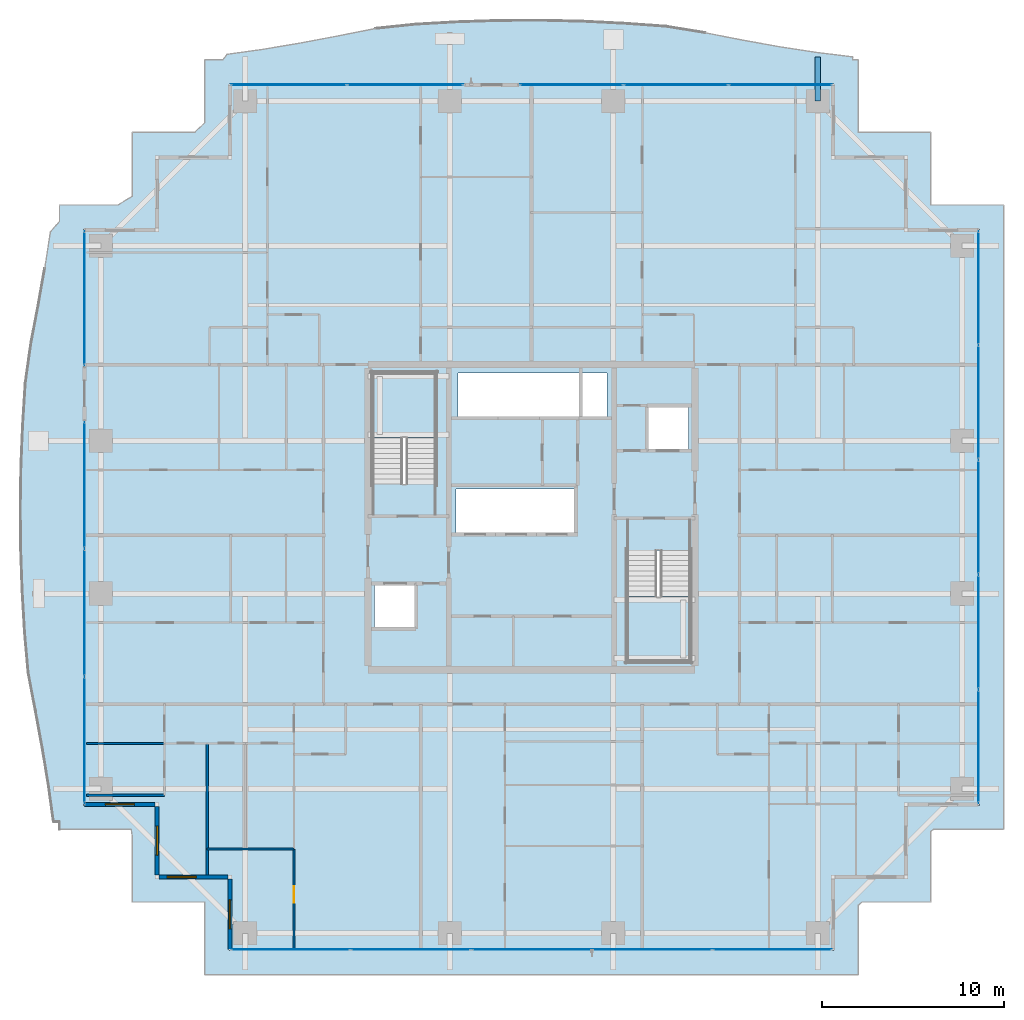
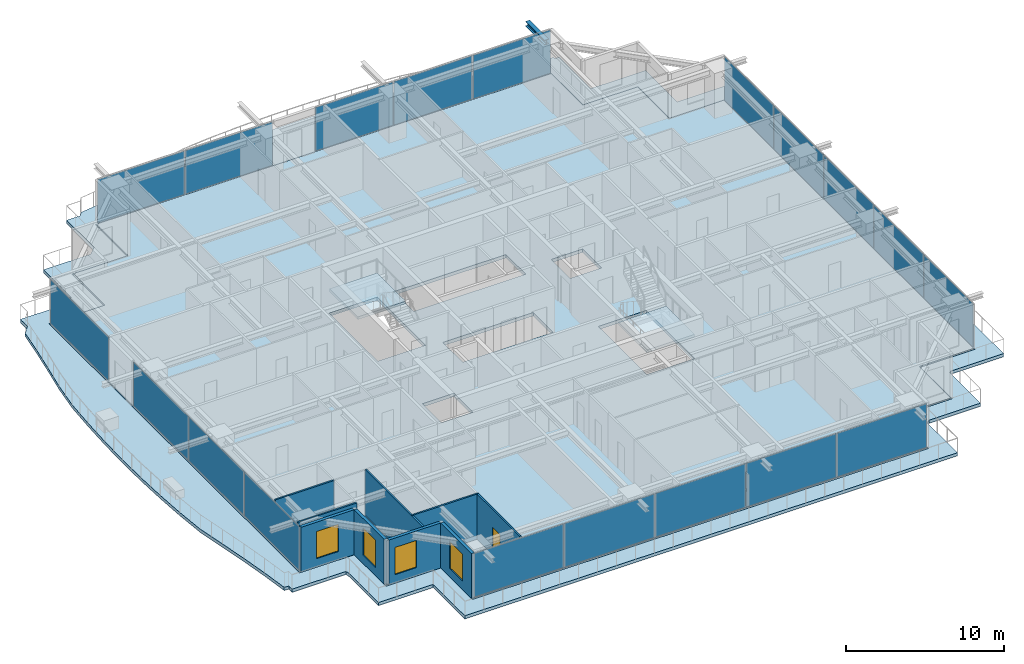
# One storey, part 25 of 39: 19 plates, 9 walls, 4 slabs, 4 windows, 1 beam, 1 door, 5 openings, 8 elements without a shape of their own.
"""IFC4 building model written with IfcOpenShell, lengths in metres."""

from ifc_helpers import new_model, si_unit, direction, frame, frame_2d, origin, origin_2d, place, context, subcontext, project, spatial, polyline, rectangle, i_section, outline, extrude, source, transform, mapped, material, layer, layer_set, material_profile, profile_set, type_object, element, fill, aggregate, save


model = new_model("IFC4")

# Units and contexts
model_context = context("Model", 3, precision=1e-05, world=origin(), true_north=direction((0.0, 1.0)))
body_context = subcontext(model_context, "Body", "Model", "MODEL_VIEW")
ifc_project = project(units=[si_unit("LENGTHUNIT", "METRE"), si_unit("AREAUNIT", "SQUARE_METRE"), si_unit("VOLUMEUNIT", "CUBIC_METRE"), si_unit("PLANEANGLEUNIT", "RADIAN"), si_unit("MASSUNIT", "GRAM", prefix="KILO")], contexts=[model_context])

# Site, building, storey
site_placement = place(None, origin())
site = spatial("IfcSite", under=ifc_project, at=site_placement, CompositionType="ELEMENT")
building_placement = place(site_placement, origin())
building = spatial("IfcBuilding", under=site, at=building_placement, Name="Serunith Strait Residences", CompositionType="ELEMENT")
storey_placement = place(building_placement, frame((0.0, 0.0, 123.89990234375)))
storey = spatial("IfcBuildingStorey", under=building, at=storey_placement, Name="L30", CompositionType="ELEMENT", Elevation=123.89990234375)

# Beam
ifc_material_1 = material(Name="Steel S355J2", Category="steel")
ifc_material_profile = material_profile(ifc_material_1, i_section(OverallWidth=0.300048828125, OverallDepth=0.360107421875, WebThickness=0.012451171875, FlangeThickness=0.0224609375, FilletRadius=0.027099609375, at=origin_2d()), Name="HEB 360")
ifc_profile_set = profile_set([ifc_material_profile], Name="Steel S355J2")
beam_type = type_object("IfcBeamType", Name="BM-HEB360", PredefinedType="BEAM", material=ifc_profile_set)
shared_shape_1 = source(origin(), body_context, "Body", "SweptSolid", [
    extrude(i_section(OverallWidth=0.300048828125, OverallDepth=0.360107421875, WebThickness=0.012451171875, FlangeThickness=0.0224609375, FilletRadius=0.027099609375, at=origin_2d()), origin(), (0.0, 0.0, 1.0), 2.4228515625),
])
beam_placement = place(storey_placement, frame((48.14990234375, 48.10009765625, 3.277099609375), z_axis=(0.0, 1.0, 0.0), x_axis=(-1.0, 0.0, 0.0)))
element("IfcBeam", 1, at=beam_placement, inside=storey, type_object=beam_type, Name="L31 Cantilevered Balcony Rib TC-N4", PredefinedType="BEAM", context=body_context, shape_type="MappedRepresentation", body=[
    mapped(shared_shape_1, transform((0.0, 0.0, 0.0), scale=1.0)),
])

# Slab
ifc_material_2 = material(Name="Concrete C50/60", Category="concrete")
ifc_layer_1 = layer(ifc_material_2, 0.239990234375, Name="Concrete C50/60")
ifc_layer_set_1 = layer_set([ifc_layer_1], Name="Concrete C50/60")
slab_type_1 = type_object("IfcSlabType", Name="SLB-BALC-240", PredefinedType="FLOOR", material=ifc_layer_set_1)
slab_1_placement = place(storey_placement, frame((0.0, 0.0, -0.289794921875)))
element("IfcSlab", 2, at=slab_1_placement, inside=storey, type_object=slab_type_1, Name="L30 Planted Vertical-Forest Balcony Slab", PredefinedType="FLOOR", context=body_context, shape_type="SweptSolid", body=[
    extrude(outline(polyline([(6.419921875, 8.02001953125), (6.419921875, 8.43017578125), (6.096923828125, 8.44873046875), (5.818603515625, 10.45068359375), (5.48583984375, 12.472412109375), (5.107177734375, 14.53076171875), (4.7060546875, 16.644287109375), (4.5078125, 18.869384765625), (4.376708984375, 21.136962890625), (4.29541015625, 23.42919921875), (4.272216796875, 25.733642578125), (4.30908203125, 28.03564453125), (4.403076171875, 30.3212890625), (4.544677734375, 32.5791015625), (4.8505859375, 34.75634765625), (5.24609375, 36.84521484375), (5.6083984375, 38.88623046875), (5.920654296875, 40.8974609375), (6.419921875, 41.4814453125), (6.419921875, 42.3798828125), (9.62939453125, 42.3798828125), (10.419921875, 42.8515625), (10.419921875, 46.3798828125), (13.863525390625, 46.3798828125), (14.419921875, 46.916015625), (14.419921875, 50.3798828125), (15.424072265625, 50.3798828125), (15.6328125, 50.672119140625), (17.630615234375, 50.95166015625), (19.647216796875, 51.290283203125), (21.70068359375, 51.679443359375), (23.8115234375, 52.095458984375), (26.036376953125, 52.325927734375), (28.3154296875, 52.456298828125), (30.6201171875, 52.530517578125), (32.93603515625, 52.540771484375), (35.2470703125, 52.486328125), (37.53759765625, 52.372802734375), (39.7958984375, 52.21142578125), (41.958740234375, 51.860107421875), (44.03759765625, 51.45361328125), (46.06982421875, 51.08935546875), (48.075439453125, 50.7822265625), (50.070068359375, 50.5341796875), (50.06884765625, 50.3798828125), (50.3798828125, 50.3798828125), (50.3798828125, 46.3798828125), (54.3798828125, 46.3798828125), (54.3798828125, 42.3798828125), (58.3798828125, 42.3798828125), (58.3798828125, 8.02001953125), (54.51513671875, 8.02001953125), (54.3798828125, 7.921875), (54.3798828125, 4.02001953125), (50.601806640625, 4.02001953125), (50.3798828125, 3.8408203125), (50.3798828125, 0.02001953125), (14.419921875, 0.02001953125), (14.419921875, 4.02001953125), (10.419921875, 4.02001953125), (10.419921875, 7.688232421875), (10.37109375, 8.02001953125), (6.419921875, 8.02001953125)]), holes=[polyline([(49.054931640625, 1.344970703125), (49.054931640625, 5.344970703125), (53.054931640625, 5.344970703125), (53.054931640625, 9.344970703125), (57.054931640625, 9.344970703125), (57.054931640625, 41.054931640625), (53.054931640625, 41.054931640625), (53.054931640625, 45.054931640625), (49.054931640625, 45.054931640625), (49.054931640625, 49.054931640625), (15.7451171875, 49.054931640625), (15.7451171875, 45.054931640625), (11.7451171875, 45.054931640625), (11.7451171875, 41.054931640625), (7.7451171875, 41.054931640625), (7.7451171875, 9.344970703125), (11.7451171875, 9.344970703125), (11.7451171875, 5.344970703125), (15.7451171875, 5.344970703125), (15.7451171875, 1.344970703125), (49.054931640625, 1.344970703125)])]), origin(), (0.0, 0.0, 1.0), 0.239990234375),
])

# Stair, slab
stair_type_1 = type_object("IfcStairType", Name="STR-CORE-1", PredefinedType="HALF_TURN_STAIR", material=ifc_material_2)
stair_1_placement = place(storey_placement, origin())
stair_1 = element("IfcStair", 3, at=stair_1_placement, inside=storey, type_object=stair_type_1, Name="L30 Protected Escape Stair ST-1", PredefinedType="HALF_TURN_STAIR")
ifc_layer_2 = layer(ifc_material_2, 0.199951171875, Name="Concrete C50/60")
ifc_layer_set_2 = layer_set([ifc_layer_2], Name="Concrete C50/60")
slab_type_2 = type_object("IfcSlabType", Name="SLB-LAND-200", PredefinedType="LANDING", material=ifc_layer_set_2)
slab_2_placement = place(storey_placement, frame((0.0, 0.0, 1.675048828125)))
slab_2 = element("IfcSlab", 4, at=slab_2_placement, type_object=slab_type_2, Name="ST-1 landing 1", PredefinedType="LANDING", context=body_context, shape_type="SweptSolid", body=[
    extrude(outline(polyline([(27.14990234375, 29.550048828125), (27.14990234375, 33.14990234375), (23.64990234375, 33.14990234375), (23.64990234375, 29.550048828125), (27.14990234375, 29.550048828125)])), origin(), (0.0, 0.0, 1.0), 0.199951171875),
])
aggregate(stair_1, [slab_2])

stair_type_2 = type_object("IfcStairType", Name="STR-CORE-2", PredefinedType="HALF_TURN_STAIR", material=ifc_material_2)
stair_2_placement = place(storey_placement, origin())
stair_2 = element("IfcStair", 5, at=stair_2_placement, inside=storey, type_object=stair_type_2, Name="L30 Protected Escape Stair ST-2", PredefinedType="HALF_TURN_STAIR")
slab_3_placement = place(storey_placement, frame((0.0, 0.0, 1.675048828125)))
slab_3 = element("IfcSlab", 6, at=slab_3_placement, type_object=slab_type_2, Name="ST-2 landing 1", PredefinedType="LANDING", context=body_context, shape_type="SweptSolid", body=[
    extrude(outline(polyline([(37.64990234375, 20.85009765625), (37.64990234375, 17.25), (41.14990234375, 17.25), (41.14990234375, 20.85009765625), (37.64990234375, 20.85009765625)])), origin(), (0.0, 0.0, 1.0), 0.199951171875),
])
aggregate(stair_2, [slab_3])

# Slab
ifc_material_3 = material(Name="Concrete C60/75", Category="concrete")
ifc_layer_3 = layer(ifc_material_3, 0.260009765625, Name="Concrete C60/75")
ifc_layer_set_3 = layer_set([ifc_layer_3], Name="Concrete C60/75")
slab_type_3 = type_object("IfcSlabType", Name="SLB-TWR-260-Z2", PredefinedType="FLOOR", material=ifc_layer_set_3)
slab_4_placement = place(storey_placement, frame((0.0, 0.0, -0.260009765625)))
element("IfcSlab", 7, at=slab_4_placement, inside=storey, type_object=slab_type_3, Name="L30 Structural Floor Plate", PredefinedType="FLOOR", context=body_context, shape_type="SweptSolid", body=[
    extrude(outline(polyline([(15.800048828125, 5.39990234375), (11.800048828125, 5.39990234375), (11.800048828125, 9.39990234375), (7.800048828125, 9.39990234375), (7.800048828125, 41.0), (11.800048828125, 41.0), (11.800048828125, 45.0), (15.800048828125, 45.0), (15.800048828125, 49.0), (49.0, 49.0), (49.0, 45.0), (53.0, 45.0), (53.0, 41.0), (57.0, 41.0), (57.0, 9.39990234375), (53.0, 9.39990234375), (53.0, 5.39990234375), (49.0, 5.39990234375), (49.0, 1.39990234375), (15.800048828125, 1.39990234375), (15.800048828125, 5.39990234375)]), holes=[polyline([(41.14990234375, 23.3701171875), (37.64990234375, 23.3701171875), (37.64990234375, 17.25), (41.14990234375, 17.25), (41.14990234375, 23.3701171875)]), polyline([(38.75, 31.25), (38.75, 28.85009765625), (41.050048828125, 28.85009765625), (41.050048828125, 31.25), (38.75, 31.25)]), polyline([(36.550048828125, 33.14990234375), (28.35009765625, 33.14990234375), (28.35009765625, 30.64990234375), (36.550048828125, 30.64990234375), (36.550048828125, 33.14990234375)]), polyline([(34.85009765625, 26.75), (28.25, 26.75), (28.25, 24.25), (34.85009765625, 24.25), (34.85009765625, 26.75)]), polyline([(23.64990234375, 33.14990234375), (23.64990234375, 27.030029296875), (27.14990234375, 27.030029296875), (27.14990234375, 33.14990234375), (23.64990234375, 33.14990234375)]), polyline([(26.050048828125, 21.550048828125), (23.75, 21.550048828125), (23.75, 19.14990234375), (26.050048828125, 19.14990234375), (26.050048828125, 21.550048828125)])]), origin(), (0.0, 0.0, 1.0), 0.260009765625),
])

# Curtain wall, plates
ifc_material_4 = material(Name="Pale-Champagne Anodised Aluminium", Category="aluminium")
ifc_layer_4 = layer(ifc_material_4, 0.199951171875, Name="Pale-Champagne Anodised Aluminium")
ifc_layer_set_4 = layer_set([ifc_layer_4], Name="Pale-Champagne Anodised Aluminium")
curtain_wall_type = type_object("IfcCurtainWallType", Name="CW-SYS2", PredefinedType="NOTDEFINED", material=ifc_layer_set_4)
curtain_wall_1_placement = place(storey_placement, origin())
curtain_wall_1 = element("IfcCurtainWall", 8, at=curtain_wall_1_placement, inside=storey, type_object=curtain_wall_type, Name="L30 S Unitised Fritted Curtain Wall", PredefinedType="NOTDEFINED")
ifc_material_5 = material(Name="Diagonal-Frit Operable Low-E Glazing 30mm", Category="glass")
ifc_layer_5 = layer(ifc_material_5, 0.030029296875, Name="Diagonal-Frit Operable Low-E Glazing 30mm")
ifc_layer_set_5 = layer_set([ifc_layer_5], Name="Diagonal-Frit Operable Low-E Glazing 30mm")
plate_type = type_object("IfcPlateType", Name="CW-SYS2-PNL", PredefinedType="CURTAIN_PANEL", material=ifc_layer_set_5)
shared_shape_2 = source(origin(), body_context, "Body", "SweptSolid", [
    extrude(rectangle(XDim=6.534912109375, YDim=0.030029296875, at=origin_2d()), origin(), (0.0, 0.0, 1.0), 3.35498046875),
])
plate_1_placement = place(storey_placement, frame((19.137451171875, 1.39990234375, 0.06005859375), z_axis=(0.0, 0.0, 1.0), x_axis=(1.0, 0.0, 0.0)))
plate_1 = element("IfcPlate", 9, at=plate_1_placement, type_object=plate_type, Name="CW-2 panel 1.1", PredefinedType="CURTAIN_PANEL", context=body_context, shape_type="MappedRepresentation", body=[
    mapped(shared_shape_2, transform((0.0, 0.0, 0.0), scale=1.0)),
])
plate_2_placement = place(storey_placement, frame((45.66259765625, 1.39990234375, 0.06005859375), z_axis=(0.0, 0.0, 1.0), x_axis=(1.0, 0.0, 0.0)))
plate_2 = element("IfcPlate", 10, at=plate_2_placement, type_object=plate_type, Name="CW-2 panel 5.1", PredefinedType="CURTAIN_PANEL", context=body_context, shape_type="MappedRepresentation", body=[
    mapped(shared_shape_2, transform((0.0, 0.0, 0.0), scale=1.0)),
])
shared_shape_3 = source(origin(), body_context, "Body", "SweptSolid", [
    extrude(rectangle(XDim=6.570068359375, YDim=0.030029296875, at=origin_2d()), origin(), (0.0, 0.0, 1.0), 3.35498046875),
])
plate_3_placement = place(storey_placement, frame((25.760009765625, 1.39990234375, 0.06005859375), z_axis=(0.0, 0.0, 1.0), x_axis=(1.0, 0.0, 0.0)))
plate_3 = element("IfcPlate", 11, at=plate_3_placement, type_object=plate_type, Name="CW-2 panel 2.1", PredefinedType="CURTAIN_PANEL", context=body_context, shape_type="MappedRepresentation", body=[
    mapped(shared_shape_3, transform((0.0, 0.0, 0.0), scale=1.0)),
])
plate_4_placement = place(storey_placement, frame((32.39990234375, 1.39990234375, 0.06005859375), z_axis=(0.0, 0.0, 1.0), x_axis=(1.0, 0.0, 0.0)))
plate_4 = element("IfcPlate", 12, at=plate_4_placement, type_object=plate_type, Name="CW-2 panel 3.1", PredefinedType="CURTAIN_PANEL", context=body_context, shape_type="MappedRepresentation", body=[
    mapped(shared_shape_3, transform((0.0, 0.0, 0.0), scale=1.0)),
])
plate_5_placement = place(storey_placement, frame((39.0400390625, 1.39990234375, 0.06005859375), z_axis=(0.0, 0.0, 1.0), x_axis=(1.0, 0.0, 0.0)))
plate_5 = element("IfcPlate", 13, at=plate_5_placement, type_object=plate_type, Name="CW-2 panel 4.1", PredefinedType="CURTAIN_PANEL", context=body_context, shape_type="MappedRepresentation", body=[
    mapped(shared_shape_3, transform((0.0, 0.0, 0.0), scale=1.0)),
])
aggregate(curtain_wall_1, [plate_1, plate_3, plate_4, plate_5, plate_2])

curtain_wall_2_placement = place(storey_placement, origin())
curtain_wall_2 = element("IfcCurtainWall", 14, at=curtain_wall_2_placement, inside=storey, type_object=curtain_wall_type, Name="L30 E Unitised Fritted Curtain Wall", PredefinedType="NOTDEFINED")
shared_shape_4 = source(origin(), body_context, "Body", "SweptSolid", [
    extrude(rectangle(XDim=6.215087890625, YDim=0.030029296875, at=origin_2d()), origin(), (0.0, 0.0, 1.0), 3.35498046875),
])
plate_6_placement = place(storey_placement, frame((57.0, 12.577392578125, 0.06005859375), z_axis=(0.0, 0.0, 1.0), x_axis=(0.0, 1.0, 0.0)))
plate_6 = element("IfcPlate", 15, at=plate_6_placement, type_object=plate_type, Name="CW-2 panel 1.1", PredefinedType="CURTAIN_PANEL", context=body_context, shape_type="MappedRepresentation", body=[
    mapped(shared_shape_4, transform((0.0, 0.0, 0.0), scale=1.0)),
])
plate_7_placement = place(storey_placement, frame((57.0, 37.822509765625, 0.06005859375), z_axis=(0.0, 0.0, 1.0), x_axis=(0.0, 1.0, 0.0)))
plate_7 = element("IfcPlate", 16, at=plate_7_placement, type_object=plate_type, Name="CW-2 panel 5.1", PredefinedType="CURTAIN_PANEL", context=body_context, shape_type="MappedRepresentation", body=[
    mapped(shared_shape_4, transform((0.0, 0.0, 0.0), scale=1.0)),
])
shared_shape_5 = source(origin(), body_context, "Body", "SweptSolid", [
    extrude(rectangle(XDim=6.25, YDim=0.030029296875, at=origin_2d()), origin(), (0.0, 0.0, 1.0), 3.35498046875),
])
plate_8_placement = place(storey_placement, frame((57.0, 18.8798828125, 0.06005859375), z_axis=(0.0, 0.0, 1.0), x_axis=(0.0, 1.0, 0.0)))
plate_8 = element("IfcPlate", 17, at=plate_8_placement, type_object=plate_type, Name="CW-2 panel 2.1", PredefinedType="CURTAIN_PANEL", context=body_context, shape_type="MappedRepresentation", body=[
    mapped(shared_shape_5, transform((0.0, 0.0, 0.0), scale=1.0)),
])
plate_9_placement = place(storey_placement, frame((57.0, 25.199951171875, 0.06005859375), z_axis=(0.0, 0.0, 1.0), x_axis=(0.0, 1.0, 0.0)))
plate_9 = element("IfcPlate", 18, at=plate_9_placement, type_object=plate_type, Name="CW-2 panel 3.1", PredefinedType="CURTAIN_PANEL", context=body_context, shape_type="MappedRepresentation", body=[
    mapped(shared_shape_5, transform((0.0, 0.0, 0.0), scale=1.0)),
])
plate_10_placement = place(storey_placement, frame((57.0, 31.52001953125, 0.06005859375), z_axis=(0.0, 0.0, 1.0), x_axis=(0.0, 1.0, 0.0)))
plate_10 = element("IfcPlate", 19, at=plate_10_placement, type_object=plate_type, Name="CW-2 panel 4.1", PredefinedType="CURTAIN_PANEL", context=body_context, shape_type="MappedRepresentation", body=[
    mapped(shared_shape_5, transform((0.0, 0.0, 0.0), scale=1.0)),
])
aggregate(curtain_wall_2, [plate_6, plate_8, plate_9, plate_10, plate_7])

curtain_wall_3_placement = place(storey_placement, origin())
curtain_wall_3 = element("IfcCurtainWall", 20, at=curtain_wall_3_placement, inside=storey, type_object=curtain_wall_type, Name="L30 N Unitised Fritted Curtain Wall", PredefinedType="NOTDEFINED")
shared_shape_6 = source(origin(), body_context, "Body", "SweptSolid", [
    extrude(rectangle(XDim=5.66162109375, YDim=0.030029296875, at=origin_2d()), origin(), (0.0, 0.0, 1.0), 3.35498046875),
])
plate_11_placement = place(storey_placement, frame((46.09912109375, 49.0, 0.06005859375), z_axis=(0.0, 0.0, 1.0), x_axis=(-1.0, 0.0, 0.0)))
plate_11 = element("IfcPlate", 21, at=plate_11_placement, type_object=plate_type, Name="CW-2 panel 1.1", PredefinedType="CURTAIN_PANEL", context=body_context, shape_type="MappedRepresentation", body=[
    mapped(shared_shape_6, transform((0.0, 0.0, 0.0), scale=1.0)),
])
plate_12_placement = place(storey_placement, frame((34.600830078125, 49.0, 0.06005859375), z_axis=(0.0, 0.0, 1.0), x_axis=(-1.0, 0.0, 0.0)))
plate_12 = element("IfcPlate", 22, at=plate_12_placement, type_object=plate_type, Name="CW-2 panel 3.1", PredefinedType="CURTAIN_PANEL", context=body_context, shape_type="MappedRepresentation", body=[
    mapped(shared_shape_6, transform((0.0, 0.0, 0.0), scale=1.0)),
])
shared_shape_7 = source(origin(), body_context, "Body", "SweptSolid", [
    extrude(rectangle(XDim=5.69677734375, YDim=0.030029296875, at=origin_2d()), origin(), (0.0, 0.0, 1.0), 3.35498046875),
])
plate_13_placement = place(storey_placement, frame((40.35009765625, 49.0, 0.06005859375), z_axis=(0.0, 0.0, 1.0), x_axis=(-1.0, 0.0, 0.0)))
plate_13 = element("IfcPlate", 23, at=plate_13_placement, type_object=plate_type, Name="CW-2 panel 2.1", PredefinedType="CURTAIN_PANEL", context=body_context, shape_type="MappedRepresentation", body=[
    mapped(shared_shape_7, transform((0.0, 0.0, 0.0), scale=1.0)),
])
aggregate(curtain_wall_3, [plate_11, plate_13, plate_12])

curtain_wall_4_placement = place(storey_placement, origin())
curtain_wall_4 = element("IfcCurtainWall", 24, at=curtain_wall_4_placement, inside=storey, type_object=curtain_wall_type, Name="L30 N Unitised Fritted Curtain Wall", PredefinedType="NOTDEFINED")
shared_shape_8 = source(origin(), body_context, "Body", "SweptSolid", [
    extrude(rectangle(XDim=6.344970703125, YDim=0.030029296875, at=origin_2d()), origin(), (0.0, 0.0, 1.0), 3.35498046875),
])
plate_14_placement = place(storey_placement, frame((25.45751953125, 49.0, 0.06005859375), z_axis=(0.0, 0.0, 1.0), x_axis=(-1.0, 0.0, 0.0)))
plate_14 = element("IfcPlate", 25, at=plate_14_placement, type_object=plate_type, Name="CW-2 panel 1.1", PredefinedType="CURTAIN_PANEL", context=body_context, shape_type="MappedRepresentation", body=[
    mapped(shared_shape_8, transform((0.0, 0.0, 0.0), scale=1.0)),
])
plate_15_placement = place(storey_placement, frame((19.04248046875, 49.0, 0.06005859375), z_axis=(0.0, 0.0, 1.0), x_axis=(-1.0, 0.0, 0.0)))
plate_15 = element("IfcPlate", 26, at=plate_15_placement, type_object=plate_type, Name="CW-2 panel 2.1", PredefinedType="CURTAIN_PANEL", context=body_context, shape_type="MappedRepresentation", body=[
    mapped(shared_shape_8, transform((0.0, 0.0, 0.0), scale=1.0)),
])
aggregate(curtain_wall_4, [plate_14, plate_15])

# Curtain wall, plate
curtain_wall_5_placement = place(storey_placement, origin())
curtain_wall_5 = element("IfcCurtainWall", 27, at=curtain_wall_5_placement, inside=storey, type_object=curtain_wall_type, Name="L30 W Unitised Fritted Curtain Wall", PredefinedType="NOTDEFINED")
shared_shape_9 = source(origin(), body_context, "Body", "SweptSolid", [
    extrude(rectangle(XDim=7.360107421875, YDim=0.030029296875, at=origin_2d()), origin(), (0.0, 0.0, 1.0), 3.35498046875),
])
plate_16_placement = place(storey_placement, frame((7.800048828125, 37.25, 0.06005859375), z_axis=(0.0, 0.0, 1.0), x_axis=(0.0, -1.0, 0.0)))
plate_16 = element("IfcPlate", 28, at=plate_16_placement, type_object=plate_type, Name="CW-2 panel 1.1", PredefinedType="CURTAIN_PANEL", context=body_context, shape_type="MappedRepresentation", body=[
    mapped(shared_shape_9, transform((0.0, 0.0, 0.0), scale=1.0)),
])
aggregate(curtain_wall_5, [plate_16])

# Curtain wall, plates
curtain_wall_6_placement = place(storey_placement, origin())
curtain_wall_6 = element("IfcCurtainWall", 29, at=curtain_wall_6_placement, inside=storey, type_object=curtain_wall_type, Name="L30 W Unitised Fritted Curtain Wall", PredefinedType="NOTDEFINED")
shared_shape_10 = source(origin(), body_context, "Body", "SweptSolid", [
    extrude(rectangle(XDim=6.92822265625, YDim=0.030029296875, at=origin_2d()), origin(), (0.0, 0.0, 1.0), 3.35498046875),
])
plate_17_placement = place(storey_placement, frame((7.800048828125, 26.9658203125, 0.06005859375), z_axis=(0.0, 0.0, 1.0), x_axis=(0.0, -1.0, 0.0)))
plate_17 = element("IfcPlate", 30, at=plate_17_placement, type_object=plate_type, Name="CW-2 panel 1.1", PredefinedType="CURTAIN_PANEL", context=body_context, shape_type="MappedRepresentation", body=[
    mapped(shared_shape_10, transform((0.0, 0.0, 0.0), scale=1.0)),
])
plate_18_placement = place(storey_placement, frame((7.800048828125, 12.93408203125, 0.06005859375), z_axis=(0.0, 0.0, 1.0), x_axis=(0.0, -1.0, 0.0)))
plate_18 = element("IfcPlate", 31, at=plate_18_placement, type_object=plate_type, Name="CW-2 panel 3.1", PredefinedType="CURTAIN_PANEL", context=body_context, shape_type="MappedRepresentation", body=[
    mapped(shared_shape_10, transform((0.0, 0.0, 0.0), scale=1.0)),
])
shared_shape_11 = source(origin(), body_context, "Body", "SweptSolid", [
    extrude(rectangle(XDim=6.96337890625, YDim=0.030029296875, at=origin_2d()), origin(), (0.0, 0.0, 1.0), 3.35498046875),
])
plate_19_placement = place(storey_placement, frame((7.800048828125, 19.949951171875, 0.06005859375), z_axis=(0.0, 0.0, 1.0), x_axis=(0.0, -1.0, 0.0)))
plate_19 = element("IfcPlate", 32, at=plate_19_placement, type_object=plate_type, Name="CW-2 panel 2.1", PredefinedType="CURTAIN_PANEL", context=body_context, shape_type="MappedRepresentation", body=[
    mapped(shared_shape_11, transform((0.0, 0.0, 0.0), scale=1.0)),
])
aggregate(curtain_wall_6, [plate_17, plate_19, plate_18])

# Wall, opening, window
ifc_material_6 = material(Name="Pale-Champagne Aluminium Insulated Panel", Category="aluminium")
ifc_layer_6 = layer(ifc_material_6, 0.219970703125, Name="Pale-Champagne Aluminium Insulated Panel")
ifc_layer_set_6 = layer_set([ifc_layer_6], Name="Pale-Champagne Aluminium Insulated Panel")
wall_type_1 = type_object("IfcWallType", Name="EW-ALUM-220", PredefinedType="ELEMENTEDWALL", material=ifc_layer_set_6)
wall_1_placement = place(storey_placement, frame((7.800048828125, 9.39990234375, 0.0), z_axis=(0.0, 0.0, 1.0), x_axis=(1.0, 0.0, 0.0)))
wall_1 = element("IfcWall", 33, at=wall_1_placement, inside=storey, type_object=wall_type_1, Name="L30 Girih Serrated Corner Wall 17", PredefinedType="ELEMENTEDWALL", context=body_context, shape_type="SweptSolid", body=[
    extrude(rectangle(XDim=3.889892578125, YDim=0.219970703125, at=frame_2d((1.94482421875, 0.0))), origin(), (0.0, 0.0, 1.0), 3.47509765625),
])
opening_1_placement = place(wall_1_placement, frame((1.14501953125, 0.0, 0.64990234375)))
opening_1 = element("IfcOpeningElement", 34, at=opening_1_placement, cuts=wall_1, Name="Opening W-02", PredefinedType="OPENING", context=body_context, shape_type="SweptSolid", body=[
    extrude(rectangle(XDim=1.60009765625, YDim=2.10009765625, at=frame_2d((0.800048828125, 1.050048828125))), frame((0.0, 0.1201171875, 0.0), z_axis=(0.0, -1.0, 0.0), x_axis=(1.0, 0.0, 0.0)), (0.0, 0.0, 1.0), 0.239990234375),
])
ifc_material_7 = material(Name="Ceramic-Fritted Operable Aluminium Window Glass", Category="aluminium")
window_type = type_object("IfcWindowType", Name="WIN-C2", PartitioningType="DOUBLE_PANEL_VERTICAL", PredefinedType="WINDOW", material=ifc_material_7)
shared_shape_12 = source(origin(), body_context, "Body", "SweptSolid", [
    extrude(rectangle(XDim=1.60009765625, YDim=2.10009765625, at=frame_2d((0.800048828125, 1.050048828125))), frame((0.0, 0.030029296875, 0.0), z_axis=(0.0, -1.0, 0.0), x_axis=(1.0, 0.0, 0.0)), (0.0, 0.0, 1.0), 0.06005859375),
])
window_1_placement = place(opening_1_placement, origin())
window_1 = element("IfcWindow", 35, at=window_1_placement, inside=storey, type_object=window_type, Name="L30 Corner Operable Fritted Window 17", OverallHeight=2.10009765625, OverallWidth=1.60009765625, PartitioningType="SINGLE_PANEL", PredefinedType="WINDOW", context=body_context, shape_type="MappedRepresentation", body=[
    mapped(shared_shape_12, transform((0.0, 0.0, 0.0), scale=1.0)),
])
fill(opening_1, window_1)

wall_2_placement = place(storey_placement, frame((11.800048828125, 9.2900390625, 0.0), z_axis=(0.0, 0.0, 1.0), x_axis=(0.0, -1.0, 0.0)))
wall_2 = element("IfcWall", 36, at=wall_2_placement, inside=storey, type_object=wall_type_1, Name="L30 Girih Serrated Corner Wall 18", PredefinedType="ELEMENTEDWALL", context=body_context, shape_type="SweptSolid", body=[
    extrude(rectangle(XDim=3.780029296875, YDim=0.219970703125, at=frame_2d((1.89013671875, 0.0))), origin(), (0.0, 0.0, 1.0), 3.47509765625),
])
opening_2_placement = place(wall_2_placement, frame((1.090087890625, 0.0, 0.64990234375)))
opening_2 = element("IfcOpeningElement", 37, at=opening_2_placement, cuts=wall_2, Name="Opening W-02", PredefinedType="OPENING", context=body_context, shape_type="SweptSolid", body=[
    extrude(rectangle(XDim=1.60009765625, YDim=2.10009765625, at=frame_2d((0.800048828125, 1.050048828125))), frame((0.0, 0.1201171875, 0.0), z_axis=(0.0, -1.0, 0.0), x_axis=(1.0, 0.0, 0.0)), (0.0, 0.0, 1.0), 0.239990234375),
])
window_2_placement = place(opening_2_placement, origin())
window_2 = element("IfcWindow", 38, at=window_2_placement, inside=storey, type_object=window_type, Name="L30 Corner Operable Fritted Window 18", OverallHeight=2.10009765625, OverallWidth=1.60009765625, PartitioningType="SINGLE_PANEL", PredefinedType="WINDOW", context=body_context, shape_type="MappedRepresentation", body=[
    mapped(shared_shape_12, transform((0.0, 0.0, 0.0), scale=1.0)),
])
fill(opening_2, window_2)

wall_3_placement = place(storey_placement, frame((11.909912109375, 5.39990234375, 0.0), z_axis=(0.0, 0.0, 1.0), x_axis=(1.0, 0.0, 0.0)))
wall_3 = element("IfcWall", 39, at=wall_3_placement, inside=storey, type_object=wall_type_1, Name="L30 Girih Serrated Corner Wall 19", PredefinedType="ELEMENTEDWALL", context=body_context, shape_type="SweptSolid", body=[
    extrude(rectangle(XDim=3.780029296875, YDim=0.219970703125, at=frame_2d((1.89013671875, 0.0))), origin(), (0.0, 0.0, 1.0), 3.47509765625),
])
opening_3_placement = place(wall_3_placement, frame((0.43603515625, 0.0, 0.64990234375)))
opening_3 = element("IfcOpeningElement", 40, at=opening_3_placement, cuts=wall_3, Name="Opening W-02", PredefinedType="OPENING", context=body_context, shape_type="SweptSolid", body=[
    extrude(rectangle(XDim=1.60009765625, YDim=2.10009765625, at=frame_2d((0.800048828125, 1.050048828125))), frame((0.0, 0.1201171875, 0.0), z_axis=(0.0, -1.0, 0.0), x_axis=(1.0, 0.0, 0.0)), (0.0, 0.0, 1.0), 0.239990234375),
])
window_3_placement = place(opening_3_placement, origin())
window_3 = element("IfcWindow", 41, at=window_3_placement, inside=storey, type_object=window_type, Name="L30 Corner Operable Fritted Window 19", OverallHeight=2.10009765625, OverallWidth=1.60009765625, PartitioningType="SINGLE_PANEL", PredefinedType="WINDOW", context=body_context, shape_type="MappedRepresentation", body=[
    mapped(shared_shape_12, transform((0.0, 0.0, 0.0), scale=1.0)),
])
fill(opening_3, window_3)

wall_4_placement = place(storey_placement, frame((15.800048828125, 5.2900390625, 0.0), z_axis=(0.0, 0.0, 1.0), x_axis=(0.0, -1.0, 0.0)))
wall_4 = element("IfcWall", 42, at=wall_4_placement, inside=storey, type_object=wall_type_1, Name="L30 Girih Serrated Corner Wall 20", PredefinedType="ELEMENTEDWALL", context=body_context, shape_type="SweptSolid", body=[
    extrude(rectangle(XDim=3.89013671875, YDim=0.219970703125, at=frame_2d((1.945068359375, 0.0))), origin(), (0.0, 0.0, 1.0), 3.47509765625),
])
opening_4_placement = place(wall_4_placement, frame((1.14501953125, 0.0, 0.64990234375)))
opening_4 = element("IfcOpeningElement", 43, at=opening_4_placement, cuts=wall_4, Name="Opening W-02", PredefinedType="OPENING", context=body_context, shape_type="SweptSolid", body=[
    extrude(rectangle(XDim=1.60009765625, YDim=2.10009765625, at=frame_2d((0.800048828125, 1.050048828125))), frame((0.0, 0.1201171875, 0.0), z_axis=(0.0, -1.0, 0.0), x_axis=(1.0, 0.0, 0.0)), (0.0, 0.0, 1.0), 0.239990234375),
])
window_4_placement = place(opening_4_placement, origin())
window_4 = element("IfcWindow", 44, at=window_4_placement, inside=storey, type_object=window_type, Name="L30 Corner Operable Fritted Window 20", OverallHeight=2.10009765625, OverallWidth=1.60009765625, PartitioningType="SINGLE_PANEL", PredefinedType="WINDOW", context=body_context, shape_type="MappedRepresentation", body=[
    mapped(shared_shape_12, transform((0.0, 0.0, 0.0), scale=1.0)),
])
fill(opening_4, window_4)

# Wall, opening, door
ifc_material_8 = material(Name="Lightweight steel-stud gypsum partition", Category="steel")
ifc_layer_7 = layer(ifc_material_8, 0.1201171875, Name="Lightweight steel-stud gypsum partition")
ifc_layer_set_7 = layer_set([ifc_layer_7], Name="Lightweight steel-stud gypsum partition")
wall_type_2 = type_object("IfcWallType", Name="IW-PART-120", PredefinedType="PARTITIONING", material=ifc_layer_set_7)
wall_5_placement = place(storey_placement, frame((19.330078125, 1.4951171875, 0.0), z_axis=(0.0, 0.0, 1.0), x_axis=(0.0, 1.0, 0.0)))
wall_5 = element("IfcWall", 45, at=wall_5_placement, inside=storey, type_object=wall_type_2, Name="L30 Partition Wall 035", PredefinedType="PARTITIONING", context=body_context, shape_type="SweptSolid", body=[
    extrude(rectangle(XDim=5.44287109375, YDim=0.1201171875, at=frame_2d((2.721435546875, 0.0))), origin(), (0.0, 0.0, 1.0), 3.489990234375),
])
opening_5_placement = place(wall_5_placement, frame((2.4990234375, 0.0, 0.0)))
opening_5 = element("IfcOpeningElement", 46, at=opening_5_placement, cuts=wall_5, Name="Opening D-RM900", PredefinedType="OPENING", context=body_context, shape_type="SweptSolid", body=[
    extrude(rectangle(XDim=0.89990234375, YDim=2.10009765625, at=frame_2d((0.449951171875, 1.050048828125))), frame((0.0, 0.070068359375, 0.0), z_axis=(0.0, -1.0, 0.0), x_axis=(1.0, 0.0, 0.0)), (0.0, 0.0, 1.0), 0.14013671875),
])
ifc_material_9 = material(Name="Engineered timber flush bedroom door", Category="wood")
door_type = type_object("IfcDoorType", Name="ID-ROOM-900", OperationType="NOTDEFINED", PredefinedType="DOOR", material=ifc_material_9)
shared_shape_13 = source(origin(), body_context, "Body", "SweptSolid", [
    extrude(rectangle(XDim=0.89990234375, YDim=2.10009765625, at=frame_2d((0.449951171875, 1.050048828125))), frame((0.0, 0.02490234375, 0.0), z_axis=(0.0, -1.0, 0.0), x_axis=(1.0, 0.0, 0.0)), (0.0, 0.0, 1.0), 0.050048828125),
])
door_placement = place(opening_5_placement, origin())
door = element("IfcDoor", 47, at=door_placement, inside=storey, type_object=door_type, Name="L30 Study 1 3001 Door", OperationType="SINGLE_SWING_LEFT", OverallHeight=2.10009765625, OverallWidth=0.89990234375, PredefinedType="DOOR", context=body_context, shape_type="MappedRepresentation", body=[
    mapped(shared_shape_13, transform((0.0, 0.0, 0.0), scale=1.0)),
])
fill(opening_5, door)

# Walls
wall_6_placement = place(storey_placement, frame((14.550048828125, 6.93798828125, 0.0), z_axis=(0.0, 0.0, 1.0), x_axis=(1.0, 0.0, 0.0)))
element("IfcWall", 48, at=wall_6_placement, inside=storey, type_object=wall_type_2, Name="L30 Partition Wall 037", PredefinedType="PARTITIONING", context=body_context, shape_type="SweptSolid", body=[
    extrude(rectangle(XDim=4.780029296875, YDim=0.1201171875, at=frame_2d((2.39013671875, 0.0))), origin(), (0.0, 0.0, 1.0), 3.489990234375),
])
wall_7_placement = place(storey_placement, frame((14.550048828125, 5.4951171875, 0.0), z_axis=(0.0, 0.0, 1.0), x_axis=(0.0, 1.0, 0.0)))
element("IfcWall", 49, at=wall_7_placement, inside=storey, type_object=wall_type_2, Name="L30 Partition Wall 038", PredefinedType="PARTITIONING", context=body_context, shape_type="SweptSolid", body=[
    extrude(rectangle(XDim=7.2548828125, YDim=0.1201171875, at=frame_2d((3.62744140625, 0.0))), origin(), (0.0, 0.0, 1.0), 3.489990234375),
])
wall_8_placement = place(storey_placement, frame((7.89501953125, 9.89501953125, 0.0), z_axis=(0.0, 0.0, 1.0), x_axis=(1.0, 0.0, 0.0)))
element("IfcWall", 50, at=wall_8_placement, inside=storey, type_object=wall_type_2, Name="L30 Partition Wall 043", PredefinedType="PARTITIONING", context=body_context, shape_type="SweptSolid", body=[
    extrude(rectangle(XDim=4.304931640625, YDim=0.1201171875, at=frame_2d((2.15234375, 0.0))), origin(), (0.0, 0.0, 1.0), 3.489990234375),
])
wall_9_placement = place(storey_placement, frame((7.89501953125, 12.75, 0.0), z_axis=(0.0, 0.0, 1.0), x_axis=(1.0, 0.0, 0.0)))
element("IfcWall", 51, at=wall_9_placement, inside=storey, type_object=wall_type_2, Name="L30 Partition Wall 044", PredefinedType="PARTITIONING", context=body_context, shape_type="SweptSolid", body=[
    extrude(rectangle(XDim=4.302978515625, YDim=0.1201171875, at=frame_2d((2.1513671875, 0.0))), origin(), (0.0, 0.0, 1.0), 3.489990234375),
])

save(model, "model.ifc")
